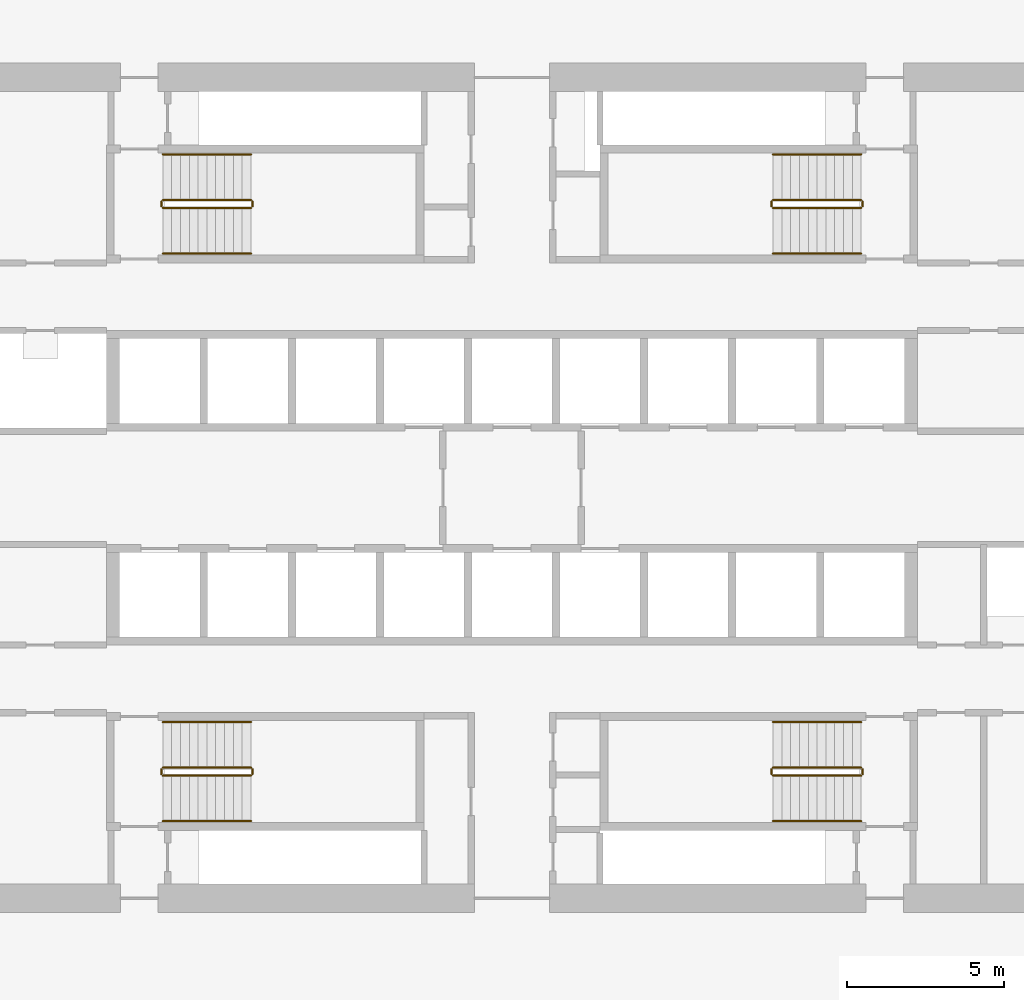
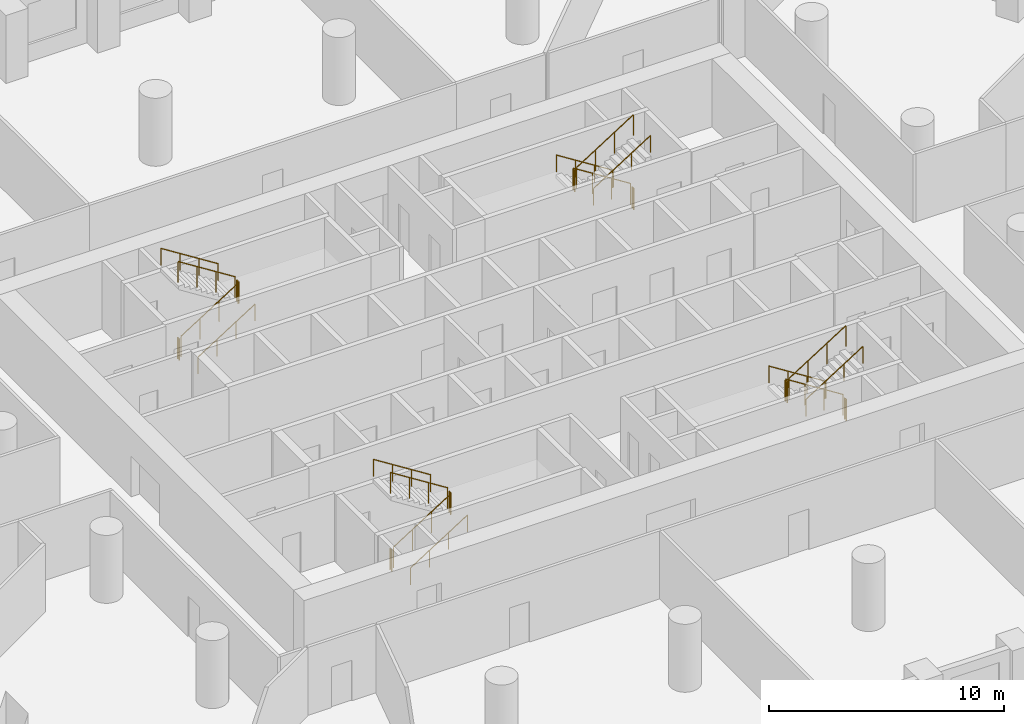
# One storey, part 10 of 10: 24 railings.
"""IFC4 building model written with IfcOpenShell, lengths in metres."""

import ifcopenshell
import ifcopenshell.guid

model = None  # the IFC model being written
_history = None  # IfcOwnerHistory: only IFC2X3 demands one
_inside = {}  # id of a spatial element -> (the spatial element, [elements in it])
_under = {}  # id of a project, library or spatial element -> (it, [spatial elements below it])
_declared = {}  # id of a project -> (the project, [libraries it declares])
_typed = {}  # id of a type object -> (the type object, [elements of that type])
_made_of = {}  # id of a material, layer set ... -> (it, [elements and type objects made of it])


def new_model(schema):
    """Start an empty IFC model of exactly this schema.

    Asked for "IFC4X3", IfcOpenShell would pick the latest addendum, in which some entities
    have other attributes; the version numbers below select the first issue.
    IFC2X3 requires an IfcOwnerHistory on every rooted entity: one is made here for all.
    """
    global model, _history
    if schema == "IFC4X3":
        model = ifcopenshell.file(schema_version=(4, 3, 0, 0))
    else:
        model = ifcopenshell.file(schema=schema)
    _inside.clear()
    _under.clear()
    _declared.clear()
    _typed.clear()
    _made_of.clear()
    _history = None
    if model.schema == "IFC2X3":
        org = make("IfcOrganization", Name="unknown")
        user = make(
            "IfcPersonAndOrganization",
            ThePerson=make("IfcPerson", FamilyName="unknown"),
            TheOrganization=org,
        )
        app = make(
            "IfcApplication",
            ApplicationDeveloper=org,
            Version="unknown",
            ApplicationFullName="unknown",
            ApplicationIdentifier="unknown",
        )
        _history = make(
            "IfcOwnerHistory",
            OwningUser=user,
            OwningApplication=app,
            ChangeAction="ADDED",
            CreationDate=0,
        )
    return model


def make(cls, **values):
    """One entity of the class cls with the attributes given. An attribute that is None is left unset."""
    return model.create_entity(
        cls, **{name: value for name, value in values.items() if value is not None}
    )


def rooted(cls, **values):
    """An entity with a GlobalId (a new one), such as an element, a storey or a relation."""
    return make(cls, GlobalId=ifcopenshell.guid.new(), OwnerHistory=_history, **values)


def si_unit(unit_type, name, prefix=None):
    """IfcSIUnit, for example si_unit("LENGTHUNIT", "METRE", prefix="MILLI")."""
    return make("IfcSIUnit", UnitType=unit_type, Prefix=prefix, Name=name)


def assignment(units):
    """IfcUnitAssignment: the units of a project."""
    return None if units is None else make("IfcUnitAssignment", Units=units)


def point(xyz):
    """IfcCartesianPoint."""
    return None if xyz is None else make("IfcCartesianPoint", Coordinates=xyz)


def direction(xyz):
    """IfcDirection."""
    return None if xyz is None else make("IfcDirection", DirectionRatios=xyz)


def frame(location, z_axis=None, x_axis=None):
    """IfcAxis2Placement3D, a coordinate frame: its origin and axes. An axis left out is left unset."""
    return make(
        "IfcAxis2Placement3D",
        Location=point(location),
        Axis=direction(z_axis),
        RefDirection=direction(x_axis),
    )


def frame_2d(location, x_axis=None):
    """IfcAxis2Placement2D, a coordinate frame in the plane: its origin and x axis."""
    return make(
        "IfcAxis2Placement2D", Location=point(location), RefDirection=direction(x_axis)
    )


def origin():
    """The frame at (0, 0, 0) with its axes left unset."""
    return frame((0.0, 0.0, 0.0))


def origin_2d():
    """The frame at (0, 0) in the plane with its x axis left unset."""
    return frame_2d((0.0, 0.0))


def place(relative_to, where):
    """IfcLocalPlacement: puts the frame where relative to a parent placement (None: the world)."""
    return make(
        "IfcLocalPlacement", PlacementRelTo=relative_to, RelativePlacement=where
    )


def context(
    kind, dimensions, precision=None, world=None, true_north=None, identifier=None
):
    """IfcGeometricRepresentationContext, for example the 3D "Model" context."""
    return make(
        "IfcGeometricRepresentationContext",
        ContextIdentifier=identifier,
        ContextType=kind,
        CoordinateSpaceDimension=dimensions,
        Precision=precision,
        WorldCoordinateSystem=world,
        TrueNorth=true_north,
    )


def subcontext(parent, identifier, kind, view, scale=None):
    """IfcGeometricRepresentationSubContext, for example "Body" below "Model"."""
    return make(
        "IfcGeometricRepresentationSubContext",
        ContextIdentifier=identifier,
        ContextType=kind,
        ParentContext=parent,
        TargetScale=scale,
        TargetView=view,
    )


def project(units=None, contexts=None):
    """IfcProject with its units and contexts."""
    return rooted(
        "IfcProject",
        Name="project",
        RepresentationContexts=contexts,
        UnitsInContext=assignment(units),
    )


def spatial(cls, under=None, at=None, **own):
    """A site, building, storey or space (cls), placed at a placement, below another one or the project."""
    s = rooted(cls, ObjectPlacement=at, **own)
    if under is not None:
        _under.setdefault(under.id(), (under, []))[1].append(s)
    return s


def profile(cls, at=None, kind="AREA", **sizes):
    """A parametric profile (cls). Its sizes go by their IFC names, for example OverallWidth=200.0."""
    return make(cls, ProfileType=kind, Position=at, **sizes)


def circle(**sizes):
    """IfcCircleProfileDef."""
    return profile("IfcCircleProfileDef", **sizes)


def extrude(swept, where, along, depth):
    """IfcExtrudedAreaSolid: the profile swept, set in the frame where, extruded along a direction by depth."""
    return make(
        "IfcExtrudedAreaSolid",
        SweptArea=swept,
        Position=where,
        ExtrudedDirection=direction(along),
        Depth=depth,
    )


def shape(context_of_items, identifier, shape_type, items):
    """IfcShapeRepresentation: the items that make up one representation, for example the "Body"."""
    return make(
        "IfcShapeRepresentation",
        ContextOfItems=context_of_items,
        RepresentationIdentifier=identifier,
        RepresentationType=shape_type,
        Items=items,
    )


def material(Name=None, Category=None):
    """IfcMaterial."""
    return make("IfcMaterial", Name=Name, Category=Category)


def made_of(thing, what):
    """Note that an element or type object is made of a material, layer set ...; save() writes the relation."""
    if what is not None:
        _made_of.setdefault(what.id(), (what, []))[1].append(thing)
    return thing


def type_object(cls, material=None, **own):
    """A type object (cls), such as IfcWallType, which elements share."""
    return made_of(rooted(cls, **own), material)


def element(
    cls,
    number,
    at=None,
    inside=None,
    cuts=None,
    type_object=None,
    material=None,
    context=None,
    identifier="Body",
    shape_type=None,
    held_by="IfcProductDefinitionShape",
    body=None,
    shapes=None,
    **own,
):
    """One element of the class cls, such as IfcWall. Its Tag is "e" and its number.

    at: its placement. inside: the storey or other place that contains it. cuts: it is an
    opening in that element (IfcRelVoidsElement). A single representation is given by context,
    identifier, shape_type and body (its items); several are given by shapes. held_by: the class
    of the entity that holds the representations. save() writes the other relations.
    """
    e = rooted(cls, Tag="e%d" % number, ObjectPlacement=at, **own)
    if body is not None:
        shapes = [shape(context, identifier, shape_type, body)]
    if shapes is not None:
        e.Representation = make(held_by, Representations=shapes)
    if inside is not None:
        _inside.setdefault(inside.id(), (inside, []))[1].append(e)
    if cuts is not None:
        rooted(
            "IfcRelVoidsElement", RelatingBuildingElement=cuts, RelatedOpeningElement=e
        )
    if type_object is not None:
        _typed.setdefault(type_object.id(), (type_object, []))[1].append(e)
    return made_of(e, material)


def aggregate(whole, parts):
    """IfcRelAggregates: a whole, such as a stair, and the parts it consists of."""
    return rooted("IfcRelAggregates", RelatingObject=whole, RelatedObjects=parts)


def save(model, path):
    """Write the relations noted so far, then the file.

    IfcRelAggregates (storeys below a building ...), IfcRelContainedInSpatialStructure (elements
    in a storey), IfcRelDefinesByType, IfcRelAssociatesMaterial and IfcRelDeclares: one each for
    every whole, place, type object, material and project.
    """
    for whole, parts in _under.values():
        aggregate(whole, parts)
    for where, things in _inside.values():
        rooted(
            "IfcRelContainedInSpatialStructure",
            RelatedElements=things,
            RelatingStructure=where,
        )
    for kind, things in _typed.values():
        rooted("IfcRelDefinesByType", RelatedObjects=things, RelatingType=kind)
    for what, things in _made_of.values():
        rooted("IfcRelAssociatesMaterial", RelatedObjects=things, RelatingMaterial=what)
    for by, libraries in _declared.values():
        rooted("IfcRelDeclares", RelatingContext=by, RelatedDefinitions=libraries)
    model.write(path)


model = new_model("IFC4")

# Units and contexts
model_context = context("Model", 3, precision=1e-05, world=origin(), true_north=direction((0.0, 1.0)))
body_context = subcontext(model_context, "Body", "Model", "MODEL_VIEW")
ifc_project = project(units=[si_unit("LENGTHUNIT", "METRE"), si_unit("AREAUNIT", "SQUARE_METRE"), si_unit("VOLUMEUNIT", "CUBIC_METRE"), si_unit("PLANEANGLEUNIT", "RADIAN"), si_unit("MASSUNIT", "GRAM", prefix="KILO")], contexts=[model_context])

# Site, building, storey
site_placement = place(None, origin())
site = spatial("IfcSite", under=ifc_project, at=site_placement, CompositionType="ELEMENT")
building_placement = place(site_placement, origin())
building = spatial("IfcBuilding", under=site, at=building_placement, Name="Dhurran Vertical Campus", CompositionType="ELEMENT")
storey_placement = place(building_placement, frame((0.0, 0.0, 37.800048828125)))
storey = spatial("IfcBuildingStorey", under=building, at=storey_placement, Name="L08", CompositionType="ELEMENT", Elevation=37.800048828125)

# Railings
ifc_material_1 = material(Name="Stainless steel balustrade", Category="steel")
railing_type_1 = type_object("IfcRailingType", Name="co-RL-GUARD-1100", PredefinedType="GUARDRAIL", material=ifc_material_1)
railing_1_placement = place(storey_placement, frame((-11.10009765625, 8.89990234375, 0.17724609375)))
element("IfcRailing", 1, at=railing_1_placement, inside=storey, type_object=railing_type_1, Name="L08 ST1 stair guard 1", PredefinedType="GUARDRAIL", context=body_context, shape_type="SweptSolid", body=[
    extrude(circle(Radius=0.02392578125, at=origin_2d()), frame((0.0, 0.0, 1.076171875), z_axis=(0.844908973607, 0.0, 0.534910110503), x_axis=(0.0, 1.0, 0.0)), (0.0, 0.0, 1.0), 3.31396484375),
    extrude(circle(Radius=0.02099609375, at=origin_2d()), origin(), (0.0, 0.0, 1.0), 1.052001953125),
    extrude(circle(Radius=0.02099609375, at=origin_2d()), frame((0.933349609375, 0.0, 0.5908203125)), (0.0, 0.0, 1.0), 1.052001953125),
    extrude(circle(Radius=0.02099609375, at=origin_2d()), frame((1.86669921875, 0.0, 1.181884765625)), (0.0, 0.0, 1.0), 1.052001953125),
    extrude(circle(Radius=0.02099609375, at=origin_2d()), frame((2.800048828125, 0.0, 1.772705078125)), (0.0, 0.0, 1.0), 1.052001953125),
])
railing_2_placement = place(storey_placement, frame((-8.25, 8.949951171875, 1.949951171875)))
element("IfcRailing", 2, at=railing_2_placement, inside=storey, type_object=railing_type_1, Name="L08 ST1 stair guard 2", PredefinedType="GUARDRAIL", context=body_context, shape_type="SweptSolid", body=[
    extrude(circle(Radius=0.02392578125, at=origin_2d()), frame((0.0, 0.0, 1.076171875), z_axis=(0.0, 1.0, 0.0), x_axis=(-1.0, 0.0, 0.0)), (0.0, 0.0, 1.0), 0.150146484375),
    extrude(circle(Radius=0.02099609375, at=origin_2d()), origin(), (0.0, 0.0, 1.0), 1.052001953125),
    extrude(circle(Radius=0.02099609375, at=origin_2d()), frame((0.0, 0.150146484375, 0.0)), (0.0, 0.0, 1.0), 1.052001953125),
])
railing_3_placement = place(storey_placement, frame((-8.300048828125, 9.14990234375, 2.127197265625)))
element("IfcRailing", 3, at=railing_3_placement, inside=storey, type_object=railing_type_1, Name="L08 ST1 stair guard 3", PredefinedType="GUARDRAIL", context=body_context, shape_type="SweptSolid", body=[
    extrude(circle(Radius=0.02392578125, at=origin_2d()), frame((0.0, 0.0, 1.076171875), z_axis=(-0.844908973607, 0.0, 0.534910110503), x_axis=(0.0, -1.0, 0.0)), (0.0, 0.0, 1.0), 3.31396484375),
    extrude(circle(Radius=0.02099609375, at=origin_2d()), origin(), (0.0, 0.0, 1.0), 1.052001953125),
    extrude(circle(Radius=0.02099609375, at=origin_2d()), frame((-0.933349609375, 0.0, 0.5908203125)), (0.0, 0.0, 1.0), 1.052001953125),
    extrude(circle(Radius=0.02099609375, at=origin_2d()), frame((-1.86669921875, 0.0, 1.181884765625)), (0.0, 0.0, 1.0), 1.052001953125),
    extrude(circle(Radius=0.02099609375, at=origin_2d()), frame((-2.800048828125, 0.0, 1.772705078125)), (0.0, 0.0, 1.0), 1.052001953125),
])
railing_4_placement = place(storey_placement, frame((-11.14990234375, 8.949951171875, 0.0)))
element("IfcRailing", 4, at=railing_4_placement, inside=storey, type_object=railing_type_1, Name="L08 ST1 stair guard 4", PredefinedType="GUARDRAIL", context=body_context, shape_type="SweptSolid", body=[
    extrude(circle(Radius=0.02392578125, at=origin_2d()), frame((0.0, 0.0, 1.076171875), z_axis=(0.0, 1.0, 0.0), x_axis=(-1.0, 0.0, 0.0)), (0.0, 0.0, 1.0), 0.150146484375),
    extrude(circle(Radius=0.02099609375, at=origin_2d()), origin(), (0.0, 0.0, 1.0), 1.052001953125),
    extrude(circle(Radius=0.02099609375, at=origin_2d()), frame((0.0, 0.150146484375, 0.0)), (0.0, 0.0, 1.0), 1.052001953125),
])
railing_5_placement = place(storey_placement, frame((11.10009765625, 9.14990234375, 0.17724609375)))
element("IfcRailing", 5, at=railing_5_placement, inside=storey, type_object=railing_type_1, Name="L08 ST2 stair guard 1", PredefinedType="GUARDRAIL", context=body_context, shape_type="SweptSolid", body=[
    extrude(circle(Radius=0.02392578125, at=origin_2d()), frame((0.0, 0.0, 1.076171875), z_axis=(-0.844908973607, 0.0, 0.534910110503), x_axis=(0.0, -1.0, 0.0)), (0.0, 0.0, 1.0), 3.31396484375),
    extrude(circle(Radius=0.02099609375, at=origin_2d()), origin(), (0.0, 0.0, 1.0), 1.052001953125),
    extrude(circle(Radius=0.02099609375, at=origin_2d()), frame((-0.933349609375, 0.0, 0.5908203125)), (0.0, 0.0, 1.0), 1.052001953125),
    extrude(circle(Radius=0.02099609375, at=origin_2d()), frame((-1.86669921875, 0.0, 1.181884765625)), (0.0, 0.0, 1.0), 1.052001953125),
    extrude(circle(Radius=0.02099609375, at=origin_2d()), frame((-2.800048828125, 0.0, 1.772705078125)), (0.0, 0.0, 1.0), 1.052001953125),
])
railing_6_placement = place(storey_placement, frame((8.25, 9.10009765625, 1.949951171875)))
element("IfcRailing", 6, at=railing_6_placement, inside=storey, type_object=railing_type_1, Name="L08 ST2 stair guard 2", PredefinedType="GUARDRAIL", context=body_context, shape_type="SweptSolid", body=[
    extrude(circle(Radius=0.02392578125, at=origin_2d()), frame((0.0, 0.0, 1.076171875), z_axis=(0.0, -1.0, 0.0), x_axis=(1.0, 0.0, 0.0)), (0.0, 0.0, 1.0), 0.150146484375),
    extrude(circle(Radius=0.02099609375, at=origin_2d()), origin(), (0.0, 0.0, 1.0), 1.052001953125),
    extrude(circle(Radius=0.02099609375, at=origin_2d()), frame((0.0, -0.150146484375, 0.0)), (0.0, 0.0, 1.0), 1.052001953125),
])
railing_7_placement = place(storey_placement, frame((8.300048828125, 8.89990234375, 2.127197265625)))
element("IfcRailing", 7, at=railing_7_placement, inside=storey, type_object=railing_type_1, Name="L08 ST2 stair guard 3", PredefinedType="GUARDRAIL", context=body_context, shape_type="SweptSolid", body=[
    extrude(circle(Radius=0.02392578125, at=origin_2d()), frame((0.0, 0.0, 1.076171875), z_axis=(0.844908973607, 0.0, 0.534910110503), x_axis=(0.0, 1.0, 0.0)), (0.0, 0.0, 1.0), 3.31396484375),
    extrude(circle(Radius=0.02099609375, at=origin_2d()), origin(), (0.0, 0.0, 1.0), 1.052001953125),
    extrude(circle(Radius=0.02099609375, at=origin_2d()), frame((0.933349609375, 0.0, 0.5908203125)), (0.0, 0.0, 1.0), 1.052001953125),
    extrude(circle(Radius=0.02099609375, at=origin_2d()), frame((1.86669921875, 0.0, 1.181884765625)), (0.0, 0.0, 1.0), 1.052001953125),
    extrude(circle(Radius=0.02099609375, at=origin_2d()), frame((2.800048828125, 0.0, 1.772705078125)), (0.0, 0.0, 1.0), 1.052001953125),
])
railing_8_placement = place(storey_placement, frame((11.14990234375, 9.10009765625, 0.0)))
element("IfcRailing", 8, at=railing_8_placement, inside=storey, type_object=railing_type_1, Name="L08 ST2 stair guard 4", PredefinedType="GUARDRAIL", context=body_context, shape_type="SweptSolid", body=[
    extrude(circle(Radius=0.02392578125, at=origin_2d()), frame((0.0, 0.0, 1.076171875), z_axis=(0.0, -1.0, 0.0), x_axis=(1.0, 0.0, 0.0)), (0.0, 0.0, 1.0), 0.150146484375),
    extrude(circle(Radius=0.02099609375, at=origin_2d()), origin(), (0.0, 0.0, 1.0), 1.052001953125),
    extrude(circle(Radius=0.02099609375, at=origin_2d()), frame((0.0, -0.150146484375, 0.0)), (0.0, 0.0, 1.0), 1.052001953125),
])
railing_9_placement = place(storey_placement, frame((-11.10009765625, -9.14990234375, 0.17724609375)))
element("IfcRailing", 9, at=railing_9_placement, inside=storey, type_object=railing_type_1, Name="L08 ST3 stair guard 1", PredefinedType="GUARDRAIL", context=body_context, shape_type="SweptSolid", body=[
    extrude(circle(Radius=0.02392578125, at=origin_2d()), frame((0.0, 0.0, 1.076171875), z_axis=(0.844908973607, 0.0, 0.534910110503), x_axis=(0.0, 1.0, 0.0)), (0.0, 0.0, 1.0), 3.31396484375),
    extrude(circle(Radius=0.02099609375, at=origin_2d()), origin(), (0.0, 0.0, 1.0), 1.052001953125),
    extrude(circle(Radius=0.02099609375, at=origin_2d()), frame((0.933349609375, 0.0, 0.5908203125)), (0.0, 0.0, 1.0), 1.052001953125),
    extrude(circle(Radius=0.02099609375, at=origin_2d()), frame((1.86669921875, 0.0, 1.181884765625)), (0.0, 0.0, 1.0), 1.052001953125),
    extrude(circle(Radius=0.02099609375, at=origin_2d()), frame((2.800048828125, 0.0, 1.772705078125)), (0.0, 0.0, 1.0), 1.052001953125),
])
railing_10_placement = place(storey_placement, frame((-8.25, -9.10009765625, 1.949951171875)))
element("IfcRailing", 10, at=railing_10_placement, inside=storey, type_object=railing_type_1, Name="L08 ST3 stair guard 2", PredefinedType="GUARDRAIL", context=body_context, shape_type="SweptSolid", body=[
    extrude(circle(Radius=0.02392578125, at=origin_2d()), frame((0.0, 0.0, 1.076171875), z_axis=(0.0, 1.0, 0.0), x_axis=(-1.0, 0.0, 0.0)), (0.0, 0.0, 1.0), 0.150146484375),
    extrude(circle(Radius=0.02099609375, at=origin_2d()), origin(), (0.0, 0.0, 1.0), 1.052001953125),
    extrude(circle(Radius=0.02099609375, at=origin_2d()), frame((0.0, 0.150146484375, 0.0)), (0.0, 0.0, 1.0), 1.052001953125),
])
railing_11_placement = place(storey_placement, frame((-8.300048828125, -8.89990234375, 2.127197265625)))
element("IfcRailing", 11, at=railing_11_placement, inside=storey, type_object=railing_type_1, Name="L08 ST3 stair guard 3", PredefinedType="GUARDRAIL", context=body_context, shape_type="SweptSolid", body=[
    extrude(circle(Radius=0.02392578125, at=origin_2d()), frame((0.0, 0.0, 1.076171875), z_axis=(-0.844908973607, 0.0, 0.534910110503), x_axis=(0.0, -1.0, 0.0)), (0.0, 0.0, 1.0), 3.31396484375),
    extrude(circle(Radius=0.02099609375, at=origin_2d()), origin(), (0.0, 0.0, 1.0), 1.052001953125),
    extrude(circle(Radius=0.02099609375, at=origin_2d()), frame((-0.933349609375, 0.0, 0.5908203125)), (0.0, 0.0, 1.0), 1.052001953125),
    extrude(circle(Radius=0.02099609375, at=origin_2d()), frame((-1.86669921875, 0.0, 1.181884765625)), (0.0, 0.0, 1.0), 1.052001953125),
    extrude(circle(Radius=0.02099609375, at=origin_2d()), frame((-2.800048828125, 0.0, 1.772705078125)), (0.0, 0.0, 1.0), 1.052001953125),
])
railing_12_placement = place(storey_placement, frame((-11.14990234375, -9.10009765625, 0.0)))
element("IfcRailing", 12, at=railing_12_placement, inside=storey, type_object=railing_type_1, Name="L08 ST3 stair guard 4", PredefinedType="GUARDRAIL", context=body_context, shape_type="SweptSolid", body=[
    extrude(circle(Radius=0.02392578125, at=origin_2d()), frame((0.0, 0.0, 1.076171875), z_axis=(0.0, 1.0, 0.0), x_axis=(-1.0, 0.0, 0.0)), (0.0, 0.0, 1.0), 0.150146484375),
    extrude(circle(Radius=0.02099609375, at=origin_2d()), origin(), (0.0, 0.0, 1.0), 1.052001953125),
    extrude(circle(Radius=0.02099609375, at=origin_2d()), frame((0.0, 0.150146484375, 0.0)), (0.0, 0.0, 1.0), 1.052001953125),
])
railing_13_placement = place(storey_placement, frame((11.10009765625, -8.89990234375, 0.17724609375)))
element("IfcRailing", 13, at=railing_13_placement, inside=storey, type_object=railing_type_1, Name="L08 ST4 stair guard 1", PredefinedType="GUARDRAIL", context=body_context, shape_type="SweptSolid", body=[
    extrude(circle(Radius=0.02392578125, at=origin_2d()), frame((0.0, 0.0, 1.076171875), z_axis=(-0.844908973607, 0.0, 0.534910110503), x_axis=(0.0, -1.0, 0.0)), (0.0, 0.0, 1.0), 3.31396484375),
    extrude(circle(Radius=0.02099609375, at=origin_2d()), origin(), (0.0, 0.0, 1.0), 1.052001953125),
    extrude(circle(Radius=0.02099609375, at=origin_2d()), frame((-0.933349609375, 0.0, 0.5908203125)), (0.0, 0.0, 1.0), 1.052001953125),
    extrude(circle(Radius=0.02099609375, at=origin_2d()), frame((-1.86669921875, 0.0, 1.181884765625)), (0.0, 0.0, 1.0), 1.052001953125),
    extrude(circle(Radius=0.02099609375, at=origin_2d()), frame((-2.800048828125, 0.0, 1.772705078125)), (0.0, 0.0, 1.0), 1.052001953125),
])
railing_14_placement = place(storey_placement, frame((8.25, -8.949951171875, 1.949951171875)))
element("IfcRailing", 14, at=railing_14_placement, inside=storey, type_object=railing_type_1, Name="L08 ST4 stair guard 2", PredefinedType="GUARDRAIL", context=body_context, shape_type="SweptSolid", body=[
    extrude(circle(Radius=0.02392578125, at=origin_2d()), frame((0.0, 0.0, 1.076171875), z_axis=(0.0, -1.0, 0.0), x_axis=(1.0, 0.0, 0.0)), (0.0, 0.0, 1.0), 0.150146484375),
    extrude(circle(Radius=0.02099609375, at=origin_2d()), origin(), (0.0, 0.0, 1.0), 1.052001953125),
    extrude(circle(Radius=0.02099609375, at=origin_2d()), frame((0.0, -0.150146484375, 0.0)), (0.0, 0.0, 1.0), 1.052001953125),
])
railing_15_placement = place(storey_placement, frame((8.300048828125, -9.14990234375, 2.127197265625)))
element("IfcRailing", 15, at=railing_15_placement, inside=storey, type_object=railing_type_1, Name="L08 ST4 stair guard 3", PredefinedType="GUARDRAIL", context=body_context, shape_type="SweptSolid", body=[
    extrude(circle(Radius=0.02392578125, at=origin_2d()), frame((0.0, 0.0, 1.076171875), z_axis=(0.844908973607, 0.0, 0.534910110503), x_axis=(0.0, 1.0, 0.0)), (0.0, 0.0, 1.0), 3.31396484375),
    extrude(circle(Radius=0.02099609375, at=origin_2d()), origin(), (0.0, 0.0, 1.0), 1.052001953125),
    extrude(circle(Radius=0.02099609375, at=origin_2d()), frame((0.933349609375, 0.0, 0.5908203125)), (0.0, 0.0, 1.0), 1.052001953125),
    extrude(circle(Radius=0.02099609375, at=origin_2d()), frame((1.86669921875, 0.0, 1.181884765625)), (0.0, 0.0, 1.0), 1.052001953125),
    extrude(circle(Radius=0.02099609375, at=origin_2d()), frame((2.800048828125, 0.0, 1.772705078125)), (0.0, 0.0, 1.0), 1.052001953125),
])
railing_16_placement = place(storey_placement, frame((11.14990234375, -8.949951171875, 0.0)))
element("IfcRailing", 16, at=railing_16_placement, inside=storey, type_object=railing_type_1, Name="L08 ST4 stair guard 4", PredefinedType="GUARDRAIL", context=body_context, shape_type="SweptSolid", body=[
    extrude(circle(Radius=0.02392578125, at=origin_2d()), frame((0.0, 0.0, 1.076171875), z_axis=(0.0, -1.0, 0.0), x_axis=(1.0, 0.0, 0.0)), (0.0, 0.0, 1.0), 0.150146484375),
    extrude(circle(Radius=0.02099609375, at=origin_2d()), origin(), (0.0, 0.0, 1.0), 1.052001953125),
    extrude(circle(Radius=0.02099609375, at=origin_2d()), frame((0.0, -0.150146484375, 0.0)), (0.0, 0.0, 1.0), 1.052001953125),
])
ifc_material_2 = material(Name="Stainless steel handrail", Category="steel")
railing_type_2 = type_object("IfcRailingType", Name="co-RL-HANDRAIL-900", PredefinedType="HANDRAIL", material=ifc_material_2)
railing_17_placement = place(storey_placement, frame((-11.10009765625, 7.449951171875, 0.17724609375)))
element("IfcRailing", 17, at=railing_17_placement, inside=storey, type_object=railing_type_2, Name="L08 ST1 stair handrail 1", PredefinedType="HANDRAIL", context=body_context, shape_type="SweptSolid", body=[
    extrude(circle(Radius=0.02392578125, at=origin_2d()), frame((0.0, 0.0, 0.8759765625), z_axis=(0.844908973607, 0.0, 0.534910110503), x_axis=(0.0, 1.0, 0.0)), (0.0, 0.0, 1.0), 3.31396484375),
    extrude(circle(Radius=0.02099609375, at=origin_2d()), origin(), (0.0, 0.0, 1.0), 0.851806640625),
    extrude(circle(Radius=0.02099609375, at=origin_2d()), frame((0.933349609375, 0.0, 0.5908203125)), (0.0, 0.0, 1.0), 0.851806640625),
    extrude(circle(Radius=0.02099609375, at=origin_2d()), frame((1.86669921875, 0.0, 1.181884765625)), (0.0, 0.0, 1.0), 0.851806640625),
    extrude(circle(Radius=0.02099609375, at=origin_2d()), frame((2.800048828125, 0.0, 1.772705078125)), (0.0, 0.0, 1.0), 0.851806640625),
])
for number, where, name in (
    (18, (-8.300048828125, 10.60009765625, 2.127197265625), "L08 ST1 stair handrail 2"),
    (19, (11.10009765625, 10.60009765625, 0.17724609375), "L08 ST2 stair handrail 1"),
):
    element("IfcRailing", number, at=place(storey_placement, frame(where)), inside=storey, type_object=railing_type_2, Name=name, PredefinedType="HANDRAIL", context=body_context, shape_type="SweptSolid", body=[
        extrude(circle(Radius=0.02392578125, at=origin_2d()), frame((0.0, 0.0, 0.8759765625), z_axis=(-0.844908973607, 0.0, 0.534910110503), x_axis=(0.0, -1.0, 0.0)), (0.0, 0.0, 1.0), 3.31396484375),
        extrude(circle(Radius=0.02099609375, at=origin_2d()), origin(), (0.0, 0.0, 1.0), 0.851806640625),
        extrude(circle(Radius=0.02099609375, at=origin_2d()), frame((-0.933349609375, 0.0, 0.5908203125)), (0.0, 0.0, 1.0), 0.851806640625),
        extrude(circle(Radius=0.02099609375, at=origin_2d()), frame((-1.86669921875, 0.0, 1.181884765625)), (0.0, 0.0, 1.0), 0.851806640625),
        extrude(circle(Radius=0.02099609375, at=origin_2d()), frame((-2.800048828125, 0.0, 1.772705078125)), (0.0, 0.0, 1.0), 0.851806640625),
    ])
for number, where, name in (
    (20, (8.300048828125, 7.449951171875, 2.127197265625), "L08 ST2 stair handrail 2"),
    (21, (-11.10009765625, -10.60009765625, 0.17724609375), "L08 ST3 stair handrail 1"),
):
    element("IfcRailing", number, at=place(storey_placement, frame(where)), inside=storey, type_object=railing_type_2, Name=name, PredefinedType="HANDRAIL", context=body_context, shape_type="SweptSolid", body=[
        extrude(circle(Radius=0.02392578125, at=origin_2d()), frame((0.0, 0.0, 0.8759765625), z_axis=(0.844908973607, 0.0, 0.534910110503), x_axis=(0.0, 1.0, 0.0)), (0.0, 0.0, 1.0), 3.31396484375),
        extrude(circle(Radius=0.02099609375, at=origin_2d()), origin(), (0.0, 0.0, 1.0), 0.851806640625),
        extrude(circle(Radius=0.02099609375, at=origin_2d()), frame((0.933349609375, 0.0, 0.5908203125)), (0.0, 0.0, 1.0), 0.851806640625),
        extrude(circle(Radius=0.02099609375, at=origin_2d()), frame((1.86669921875, 0.0, 1.181884765625)), (0.0, 0.0, 1.0), 0.851806640625),
        extrude(circle(Radius=0.02099609375, at=origin_2d()), frame((2.800048828125, 0.0, 1.772705078125)), (0.0, 0.0, 1.0), 0.851806640625),
    ])
for number, where, name in (
    (22, (-8.300048828125, -7.449951171875, 2.127197265625), "L08 ST3 stair handrail 2"),
    (23, (11.10009765625, -7.449951171875, 0.17724609375), "L08 ST4 stair handrail 1"),
):
    element("IfcRailing", number, at=place(storey_placement, frame(where)), inside=storey, type_object=railing_type_2, Name=name, PredefinedType="HANDRAIL", context=body_context, shape_type="SweptSolid", body=[
        extrude(circle(Radius=0.02392578125, at=origin_2d()), frame((0.0, 0.0, 0.8759765625), z_axis=(-0.844908973607, 0.0, 0.534910110503), x_axis=(0.0, -1.0, 0.0)), (0.0, 0.0, 1.0), 3.31396484375),
        extrude(circle(Radius=0.02099609375, at=origin_2d()), origin(), (0.0, 0.0, 1.0), 0.851806640625),
        extrude(circle(Radius=0.02099609375, at=origin_2d()), frame((-0.933349609375, 0.0, 0.5908203125)), (0.0, 0.0, 1.0), 0.851806640625),
        extrude(circle(Radius=0.02099609375, at=origin_2d()), frame((-1.86669921875, 0.0, 1.181884765625)), (0.0, 0.0, 1.0), 0.851806640625),
        extrude(circle(Radius=0.02099609375, at=origin_2d()), frame((-2.800048828125, 0.0, 1.772705078125)), (0.0, 0.0, 1.0), 0.851806640625),
    ])
railing_18_placement = place(storey_placement, frame((8.300048828125, -10.60009765625, 2.127197265625)))
element("IfcRailing", 24, at=railing_18_placement, inside=storey, type_object=railing_type_2, Name="L08 ST4 stair handrail 2", PredefinedType="HANDRAIL", context=body_context, shape_type="SweptSolid", body=[
    extrude(circle(Radius=0.02392578125, at=origin_2d()), frame((0.0, 0.0, 0.8759765625), z_axis=(0.844908973607, 0.0, 0.534910110503), x_axis=(0.0, 1.0, 0.0)), (0.0, 0.0, 1.0), 3.31396484375),
    extrude(circle(Radius=0.02099609375, at=origin_2d()), origin(), (0.0, 0.0, 1.0), 0.851806640625),
    extrude(circle(Radius=0.02099609375, at=origin_2d()), frame((0.933349609375, 0.0, 0.5908203125)), (0.0, 0.0, 1.0), 0.851806640625),
    extrude(circle(Radius=0.02099609375, at=origin_2d()), frame((1.86669921875, 0.0, 1.181884765625)), (0.0, 0.0, 1.0), 0.851806640625),
    extrude(circle(Radius=0.02099609375, at=origin_2d()), frame((2.800048828125, 0.0, 1.772705078125)), (0.0, 0.0, 1.0), 0.851806640625),
])

save(model, "model.ifc")
